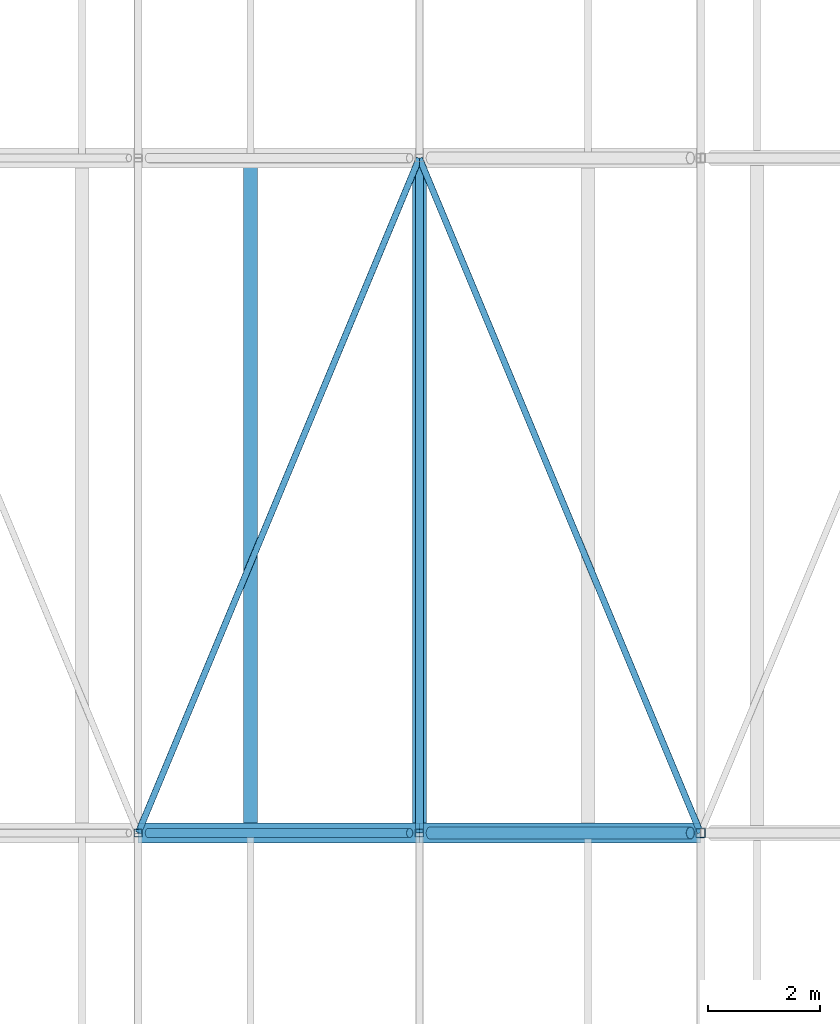
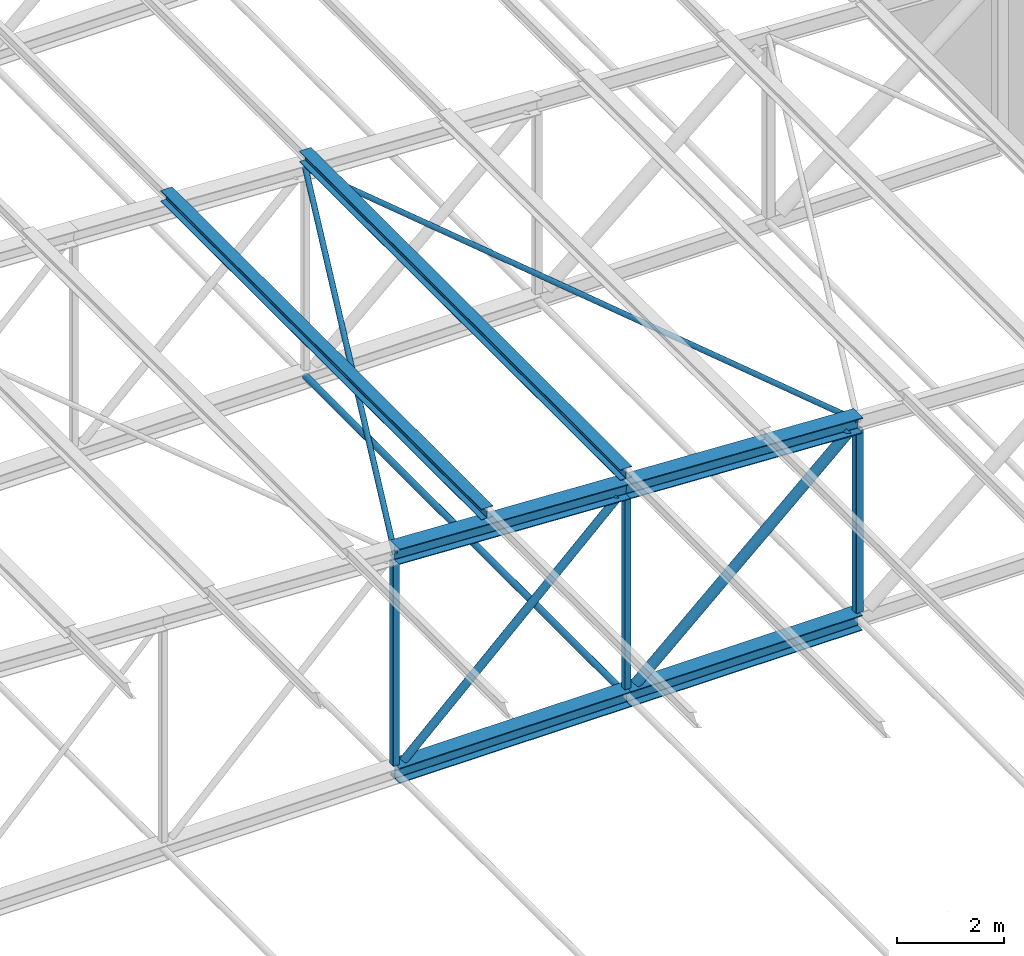
# One storey, part 46 of 156: 14 members.
"""IFC4 building model written with IfcOpenShell, lengths in metres."""

from ifc_helpers import new_model, si_unit, direction, frame, origin, origin_2d, place, context, subcontext, project, spatial, hollow_rectangle, hollow_circle, i_section, extrude, material, material_profile, profile_set, type_object, element, save


model = new_model("IFC4")

# Units and contexts
model_context = context("Model", 3, precision=1e-05, world=origin(), true_north=direction((0.0, 1.0)))
body_context = subcontext(model_context, "Body", "Model", "MODEL_VIEW")
ifc_project = project(units=[si_unit("LENGTHUNIT", "METRE"), si_unit("AREAUNIT", "SQUARE_METRE"), si_unit("VOLUMEUNIT", "CUBIC_METRE"), si_unit("PLANEANGLEUNIT", "RADIAN"), si_unit("MASSUNIT", "GRAM", prefix="KILO")], contexts=[model_context])

# Site, building, storey
site_placement = place(None, origin())
site = spatial("IfcSite", under=ifc_project, at=site_placement, CompositionType="ELEMENT")
building_placement = place(site_placement, origin())
building = spatial("IfcBuilding", under=site, at=building_placement, Name="Lilac Gate Convention Centre", CompositionType="ELEMENT")
storey_placement = place(building_placement, frame((0.0, 0.0, 17.0)))
storey = spatial("IfcBuildingStorey", under=building, at=storey_placement, Name="L03", CompositionType="ELEMENT", Elevation=17.0)

# Members
ifc_material = material(Name="Steel Q355B", Category="steel")
ifc_material_profile_1 = material_profile(ifc_material, hollow_circle(Radius=0.06982421875, WallThickness=0.0048828125, at=origin_2d()), Name="CHS139.7x5")
ifc_profile_set_1 = profile_set([ifc_material_profile_1], Name="Steel Q355B")
member_type_1 = type_object("IfcMemberType", Name="Bottom chord tie CHS139.7x5", PredefinedType="STRUT", material=ifc_profile_set_1)
member_1_placement = place(storey_placement, frame((75.0, 78.006103515625, 0.0), z_axis=(0.0, 1.0, 0.0), x_axis=(-1.0, 0.0, 0.0)))
element("IfcMember", 1, at=member_1_placement, inside=storey, type_object=member_type_1, Name="ST1 tie bay 5 node 10", PredefinedType="STRUT", context=body_context, shape_type="SweptSolid", body=[
    extrude(hollow_circle(Radius=0.06982421875, WallThickness=0.0048828125, at=origin_2d()), origin(), (0.0, 0.0, 1.0), 11.98779296875),
])
ifc_material_profile_2 = material_profile(ifc_material, hollow_circle(Radius=0.05712890625, WallThickness=0.0048828125, at=origin_2d()), Name="CHS114.3x5")
ifc_profile_set_2 = profile_set([ifc_material_profile_2], Name="Steel Q355B")
member_type_2 = type_object("IfcMemberType", Name="Roof plane bracing CHS114.3x5", PredefinedType="BRACE", material=ifc_profile_set_2)
for number, where, z_axis, x_axis, name in (
    (2, (70.00244140625, 78.006103515625, 5.0), (0.384557486582, 0.922900376645, -0.019246669905), (-0.923071361129, 0.384628733019, 0.0), "BR1 plan bracing bay 5 panel 9"),
    (3, (75.00244140625, 89.993896484375, 4.75), (0.384557486582, -0.922900376645, -0.019246669905), (0.923071361129, 0.384628733019, 0.0), "BR1 plan bracing bay 5 panel 10"),
):
    element("IfcMember", number, at=place(storey_placement, frame(where, z_axis=z_axis, x_axis=x_axis)), inside=storey, type_object=member_type_2, Name=name, PredefinedType="BRACE", context=body_context, shape_type="SweptSolid", body=[
        extrude(hollow_circle(Radius=0.05712890625, WallThickness=0.0048828125, at=origin_2d()), origin(), (0.0, 0.0, 1.0), 12.9892578125),
    ])
ifc_material_profile_3 = material_profile(ifc_material, i_section(OverallWidth=0.25, OverallDepth=0.25, WebThickness=0.009033203125, FlangeThickness=0.013916015625, FilletRadius=0.012939453125, at=origin_2d()), Name="HW250x250x9x14")
ifc_profile_set_3 = profile_set([ifc_material_profile_3], Name="Steel Q355B")
member_type_3 = type_object("IfcMemberType", Name="Roof purlin HW250x250x9x14", PredefinedType="PURLIN", material=ifc_profile_set_3)
for number, where, z_axis, x_axis, name in (
    (4, (72.0, 78.0, 5.2001953125), (0.0, 1.0, 0.0), (-1.0, 0.0, 0.0), "PU1 purlin bay 5 line 15"),
    (5, (75.0, 78.0, 5.05029296875), (0.0, 1.0, 0.0), (-1.0, 0.0, 0.0), "PU1 purlin bay 5 line 16"),
):
    element("IfcMember", number, at=place(storey_placement, frame(where, z_axis=z_axis, x_axis=x_axis)), inside=storey, type_object=member_type_3, Name=name, PredefinedType="PURLIN", context=body_context, shape_type="SweptSolid", body=[
        extrude(i_section(OverallWidth=0.25, OverallDepth=0.25, WebThickness=0.009033203125, FlangeThickness=0.013916015625, FilletRadius=0.012939453125, at=origin_2d()), origin(), (0.0, 0.0, 1.0), 12.0),
    ])
ifc_material_profile_4 = material_profile(ifc_material, i_section(OverallWidth=0.35009765625, OverallDepth=0.35009765625, WebThickness=0.011962890625, FlangeThickness=0.01904296875, FilletRadius=0.012939453125, at=origin_2d()), Name="HW350x350x12x19")
ifc_profile_set_4 = profile_set([ifc_material_profile_4], Name="Steel Q355B")
member_type_4 = type_object("IfcMemberType", Name="Truss bottom chord HW350x350x12x19", PredefinedType="CHORD", material=ifc_profile_set_4)
for number, where, z_axis, x_axis, name in (
    (6, (70.0, 78.0, 0.0), (1.0, 0.0, 0.0), (0.0, 1.0, 0.0), "TB2 truss 5 bottom chord 9"),
    (7, (75.0, 78.0, 0.0), (1.0, 0.0, 0.0), (0.0, 1.0, 0.0), "TB2 truss 5 bottom chord 10"),
):
    element("IfcMember", number, at=place(storey_placement, frame(where, z_axis=z_axis, x_axis=x_axis)), inside=storey, type_object=member_type_4, Name=name, PredefinedType="CHORD", context=body_context, shape_type="SweptSolid", body=[
        extrude(i_section(OverallWidth=0.35009765625, OverallDepth=0.35009765625, WebThickness=0.011962890625, FlangeThickness=0.01904296875, FilletRadius=0.012939453125, at=origin_2d()), origin(), (0.0, 0.0, 1.0), 5.0),
    ])
ifc_material_profile_5 = material_profile(ifc_material, hollow_circle(Radius=0.084228515625, WallThickness=0.006103515625, at=origin_2d()), Name="CHS168.3x6")
ifc_profile_set_5 = profile_set([ifc_material_profile_5], Name="Steel Q355B")
member_type_5 = type_object("IfcMemberType", Name="Truss diagonal CHS168.3x6", PredefinedType="BRACE", material=ifc_profile_set_5)
member_2_placement = place(storey_placement, frame((74.8271484375, 78.0, 4.585693359375), z_axis=(-0.725020373275, 0.0, -0.688727419475), x_axis=(0.0, -1.0, 0.0)))
element("IfcMember", 8, at=member_2_placement, inside=storey, type_object=member_type_5, Name="TW4 truss 5 diagonal 9", PredefinedType="BRACE", context=body_context, shape_type="SweptSolid", body=[
    extrude(hollow_circle(Radius=0.084228515625, WallThickness=0.006103515625, at=origin_2d()), origin(), (0.0, 0.0, 1.0), 6.404052734375),
])
ifc_material_profile_6 = material_profile(ifc_material, hollow_circle(Radius=0.109619140625, WallThickness=0.008056640625, at=origin_2d()), Name="CHS219.1x8")
ifc_profile_set_6 = profile_set([ifc_material_profile_6], Name="Steel Q355B")
member_type_6 = type_object("IfcMemberType", Name="Truss diagonal CHS219.1x8", PredefinedType="BRACE", material=ifc_profile_set_6)
member_3_placement = place(storey_placement, frame((79.8173828125, 78.0, 4.335693359375), z_axis=(-0.743301953498, 0.0, -0.668956056797), x_axis=(0.0, -1.0, 0.0)))
element("IfcMember", 9, at=member_3_placement, inside=storey, type_object=member_type_6, Name="TW3 truss 5 diagonal 10", PredefinedType="BRACE", context=body_context, shape_type="SweptSolid", body=[
    extrude(hollow_circle(Radius=0.109619140625, WallThickness=0.008056640625, at=origin_2d()), origin(), (0.0, 0.0, 1.0), 6.2197265625),
])
ifc_material_profile_7 = material_profile(ifc_material, i_section(OverallWidth=0.35009765625, OverallDepth=0.35009765625, WebThickness=0.011962890625, FlangeThickness=0.01904296875, FilletRadius=0.012939453125, at=origin_2d()), Name="HW350x350x12x19")
ifc_profile_set_7 = profile_set([ifc_material_profile_7], Name="Steel Q355B")
member_type_7 = type_object("IfcMemberType", Name="Truss top chord HW350x350x12x19", PredefinedType="CHORD", material=ifc_profile_set_7)
for number, where, z_axis, x_axis, name in (
    (10, (70.0, 78.0, 5.0), (0.998752338878, 0.0, -0.049937616944), (0.0, 1.0, 0.0), "TT2 truss 5 top chord 9"),
    (11, (75.0, 78.0, 4.75), (0.998752338878, 0.0, -0.049937616944), (0.0, 1.0, 0.0), "TT2 truss 5 top chord 10"),
):
    element("IfcMember", number, at=place(storey_placement, frame(where, z_axis=z_axis, x_axis=x_axis)), inside=storey, type_object=member_type_7, Name=name, PredefinedType="CHORD", context=body_context, shape_type="SweptSolid", body=[
        extrude(i_section(OverallWidth=0.35009765625, OverallDepth=0.35009765625, WebThickness=0.011962890625, FlangeThickness=0.01904296875, FilletRadius=0.012939453125, at=origin_2d()), origin(), (0.0, 0.0, 1.0), 5.00634765625),
    ])
ifc_material_profile_8 = material_profile(ifc_material, hollow_rectangle(XDim=0.139892578125, YDim=0.139892578125, WallThickness=0.0048828125, InnerFilletRadius=0.0048828125, OuterFilletRadius=0.010009765625, at=origin_2d()), Name="SHS140x140x5")
ifc_profile_set_8 = profile_set([ifc_material_profile_8], Name="Steel Q355B")
member_type_8 = type_object("IfcMemberType", Name="Truss vertical SHS140x140x5", PredefinedType="STRUT", material=ifc_profile_set_8)
member_4_placement = place(storey_placement, frame((70.0, 78.0, 0.175048828125), z_axis=(0.0, 0.0, 1.0), x_axis=(1.0, 0.0, 0.0)))
element("IfcMember", 12, at=member_4_placement, inside=storey, type_object=member_type_8, Name="TV4 truss 5 vertical 9", PredefinedType="STRUT", context=body_context, shape_type="SweptSolid", body=[
    extrude(hollow_rectangle(XDim=0.139892578125, YDim=0.139892578125, WallThickness=0.0048828125, InnerFilletRadius=0.0048828125, OuterFilletRadius=0.010009765625, at=origin_2d()), origin(), (0.0, 0.0, 1.0), 4.649658203125),
])
member_5_placement = place(storey_placement, frame((75.0, 78.0, 0.175048828125), z_axis=(0.0, 0.0, 1.0), x_axis=(1.0, 0.0, 0.0)))
element("IfcMember", 13, at=member_5_placement, inside=storey, type_object=member_type_8, Name="TV4 truss 5 vertical 10", PredefinedType="STRUT", context=body_context, shape_type="SweptSolid", body=[
    extrude(hollow_rectangle(XDim=0.139892578125, YDim=0.139892578125, WallThickness=0.0048828125, InnerFilletRadius=0.0048828125, OuterFilletRadius=0.010009765625, at=origin_2d()), origin(), (0.0, 0.0, 1.0), 4.399658203125),
])
ifc_material_profile_9 = material_profile(ifc_material, hollow_rectangle(XDim=0.159912109375, YDim=0.159912109375, WallThickness=0.006103515625, InnerFilletRadius=0.006103515625, OuterFilletRadius=0.011962890625, at=origin_2d()), Name="SHS160x160x6")
ifc_profile_set_9 = profile_set([ifc_material_profile_9], Name="Steel Q355B")
member_type_9 = type_object("IfcMemberType", Name="Truss vertical SHS160x160x6", PredefinedType="STRUT", material=ifc_profile_set_9)
member_6_placement = place(storey_placement, frame((80.0, 78.0, 0.175048828125), z_axis=(0.0, 0.0, 1.0), x_axis=(1.0, 0.0, 0.0)))
element("IfcMember", 14, at=member_6_placement, inside=storey, type_object=member_type_9, Name="TV3 truss 5 vertical 11", PredefinedType="STRUT", context=body_context, shape_type="SweptSolid", body=[
    extrude(hollow_rectangle(XDim=0.159912109375, YDim=0.159912109375, WallThickness=0.006103515625, InnerFilletRadius=0.006103515625, OuterFilletRadius=0.011962890625, at=origin_2d()), origin(), (0.0, 0.0, 1.0), 4.149658203125),
])

save(model, "model.ifc")
